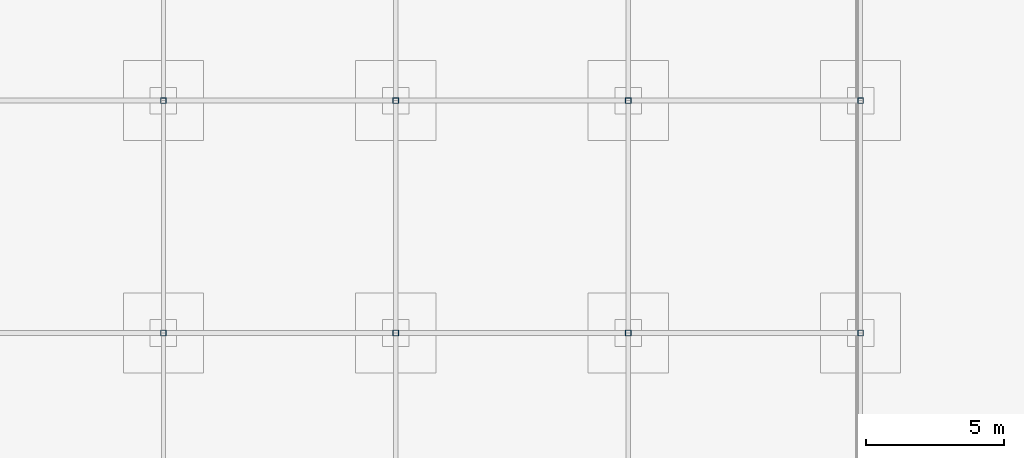
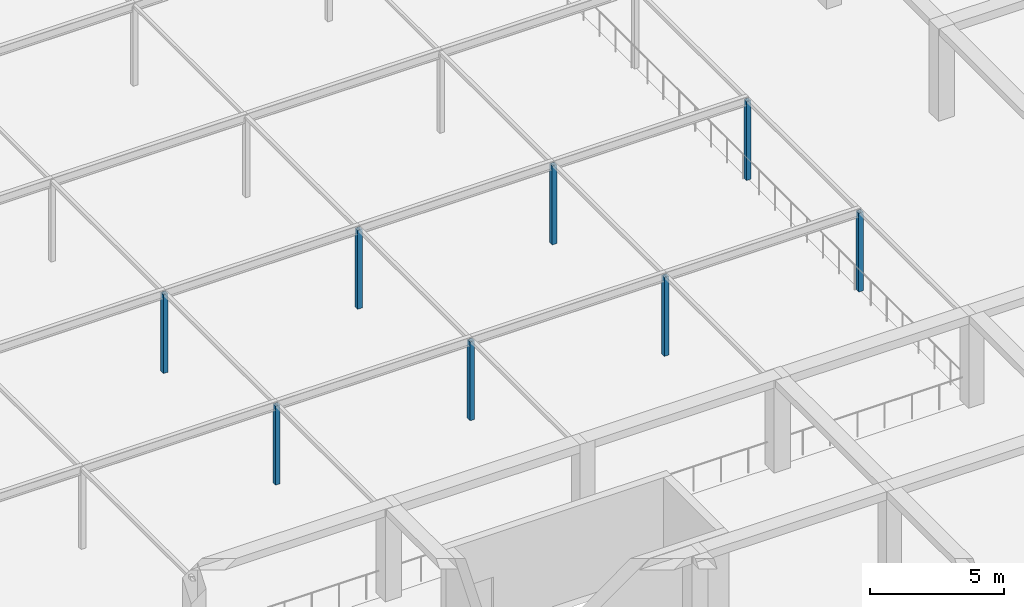
# One storey, part 7 of 85: 8 columns.
"""IFC4 building model written with IfcOpenShell, lengths in metres."""

from ifc_helpers import new_model, si_unit, direction, frame, origin, origin_2d, place, context, subcontext, project, spatial, hollow_rectangle, extrude, material, material_profile, profile_set, type_object, element, save


model = new_model("IFC4")

# Units and contexts
model_context = context("Model", 3, precision=1e-05, world=origin(), true_north=direction((0.0, 1.0)))
body_context = subcontext(model_context, "Body", "Model", "MODEL_VIEW")
ifc_project = project(units=[si_unit("LENGTHUNIT", "METRE"), si_unit("AREAUNIT", "SQUARE_METRE"), si_unit("VOLUMEUNIT", "CUBIC_METRE"), si_unit("PLANEANGLEUNIT", "RADIAN"), si_unit("MASSUNIT", "GRAM", prefix="KILO")], contexts=[model_context])

# Site, building, storey
site_placement = place(None, origin())
site = spatial("IfcSite", under=ifc_project, at=site_placement, CompositionType="ELEMENT")
building_placement = place(site_placement, origin())
building = spatial("IfcBuilding", under=site, at=building_placement, Name="Almacenes y Pasaje Nevantli", CompositionType="ELEMENT")
storey_placement = place(building_placement, frame((0.0, 0.0, 22.199951171875)))
storey = spatial("IfcBuildingStorey", under=building, at=storey_placement, Name="L05", CompositionType="ELEMENT", Elevation=22.199951171875)

# Columns
ifc_material = material(Name="Steel ASTM A500 Grade C", Category="steel")
ifc_material_profile = material_profile(ifc_material, hollow_rectangle(XDim=0.203125, YDim=0.203125, WallThickness=0.009521484375, at=origin_2d()), Name="OR 203x203x9.5")
ifc_profile_set = profile_set([ifc_material_profile], Name="Steel ASTM A500 Grade C")
column_type = type_object("IfcColumnType", Name="COL-STL-OR203", PredefinedType="COLUMN", material=ifc_profile_set)
for number, where, z_axis, x_axis, name in (
    (1, (126.0, 33.60009765625, 0.0), (0.0, 0.0, 1.0), (1.0, 0.0, 0.0), "L05 Ziggurat Terrace Pergola Steel Column #2050"),
    (2, (126.0, 42.0, 0.0), (0.0, 0.0, 1.0), (1.0, 0.0, 0.0), "L05 Ziggurat Terrace Pergola Steel Column #2051"),
    (3, (134.39990234375, 33.60009765625, 0.0), (0.0, 0.0, 1.0), (1.0, 0.0, 0.0), "L05 Ziggurat Terrace Pergola Steel Column #2054"),
    (4, (134.39990234375, 42.0, 0.0), (0.0, 0.0, 1.0), (1.0, 0.0, 0.0), "L05 Ziggurat Terrace Pergola Steel Column #2055"),
    (5, (142.800048828125, 33.60009765625, 0.0), (0.0, 0.0, 1.0), (1.0, 0.0, 0.0), "L05 Ziggurat Terrace Pergola Steel Column #2058"),
    (6, (142.800048828125, 42.0, 0.0), (0.0, 0.0, 1.0), (1.0, 0.0, 0.0), "L05 Ziggurat Terrace Pergola Steel Column #2059"),
    (7, (151.199951171875, 33.60009765625, 0.0), (0.0, 0.0, 1.0), (1.0, 0.0, 0.0), "L05 Ziggurat Terrace Pergola Steel Column #2062"),
    (8, (151.199951171875, 42.0, 0.0), (0.0, 0.0, 1.0), (1.0, 0.0, 0.0), "L05 Ziggurat Terrace Pergola Steel Column #2063"),
):
    element("IfcColumn", number, at=place(storey_placement, frame(where, z_axis=z_axis, x_axis=x_axis)), inside=storey, type_object=column_type, Name=name, PredefinedType="COLUMN", context=body_context, shape_type="SweptSolid", body=[
        extrude(hollow_rectangle(XDim=0.203125, YDim=0.203125, WallThickness=0.009521484375, at=origin_2d()), origin(), (0.0, 0.0, 1.0), 3.60009765625),
    ])

save(model, "model.ifc")
